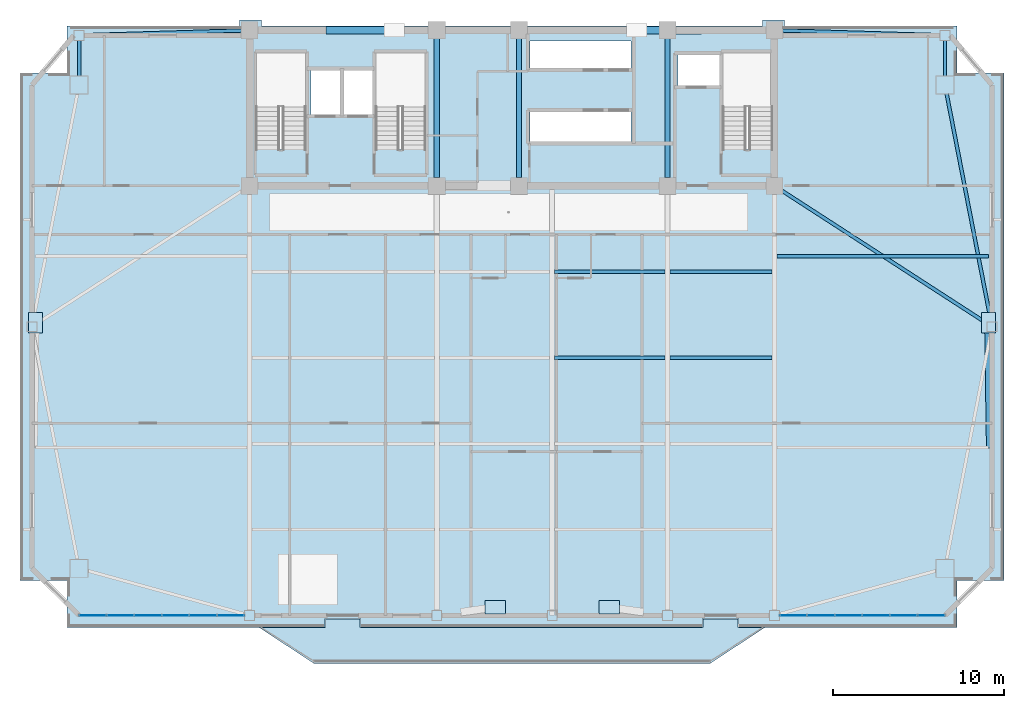
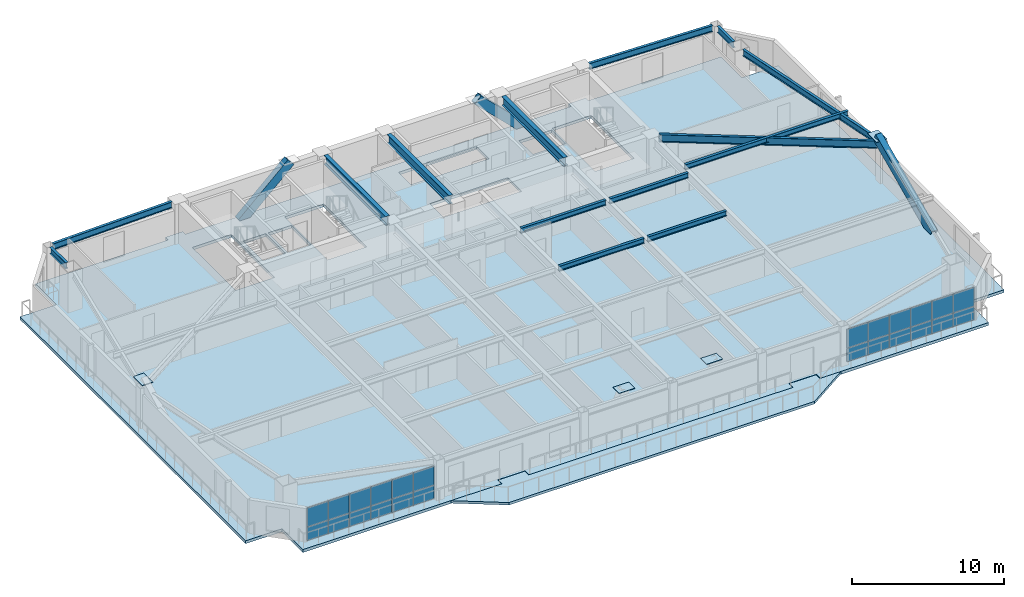
# One storey, part 7 of 17: 28 plates, 14 beams, 3 members, 2 slabs, 2 elements without a shape of their own.
"""IFC4 building model written with IfcOpenShell, lengths in metres."""

from ifc_helpers import new_model, si_unit, direction, frame, origin, origin_2d, place, context, subcontext, project, spatial, polyline, rectangle, hollow_rectangle, i_section, outline, extrude, source, transform, mapped, material, layer, layer_set, material_profile, profile_set, type_object, element, aggregate, save


model = new_model("IFC4")

# Units and contexts
model_context = context("Model", 3, precision=1e-05, world=origin(), true_north=direction((0.0, 1.0)))
body_context = subcontext(model_context, "Body", "Model", "MODEL_VIEW")
ifc_project = project(units=[si_unit("LENGTHUNIT", "METRE"), si_unit("AREAUNIT", "SQUARE_METRE"), si_unit("VOLUMEUNIT", "CUBIC_METRE"), si_unit("PLANEANGLEUNIT", "RADIAN"), si_unit("MASSUNIT", "GRAM", prefix="KILO")], contexts=[model_context])

# Site, building, storey
site_placement = place(None, origin())
site = spatial("IfcSite", under=ifc_project, at=site_placement, CompositionType="ELEMENT")
building_placement = place(site_placement, origin())
building = spatial("IfcBuilding", under=site, at=building_placement, Name="Giltprow Tower", CompositionType="ELEMENT")
storey_placement = place(building_placement, frame((0.0, 0.0, 216.699951171875)))
storey = spatial("IfcBuildingStorey", under=building, at=storey_placement, Name="L55", CompositionType="ELEMENT", Elevation=216.699951171875)

# Beams
ifc_material_1 = material(Name="Structural steel Q355B", Category="steel")
ifc_material_profile_1 = material_profile(ifc_material_1, i_section(OverallWidth=0.300048828125, OverallDepth=0.699951171875, WebThickness=0.012939453125, FlangeThickness=0.02392578125, at=origin_2d()), Name="HN 700x300x13x24")
ifc_profile_set_1 = profile_set([ifc_material_profile_1], Name="Structural steel Q355B")
beam_type_1 = type_object("IfcBeamType", Name="BM-GIRD-HN700", PredefinedType="BEAM", material=ifc_profile_set_1)
shared_shape_1 = source(origin(), body_context, "Body", "SweptSolid", [
    extrude(i_section(OverallWidth=0.300048828125, OverallDepth=0.699951171875, WebThickness=0.012939453125, FlangeThickness=0.02392578125, at=origin_2d()), origin(), (0.0, 0.0, 1.0), 8.1298828125),
])
for number, where, z_axis, x_axis, name in (
    (1, (30.800048828125, 37.93505859375, 2.89013671875), (0.0, 1.0, 0.0), (-1.0, 0.0, 0.0), "L55 Core Tie Girder M1"),
    (2, (35.60009765625, 37.93505859375, 2.89013671875), (0.0, 1.0, 0.0), (-1.0, 0.0, 0.0), "L55 Core Tie Girder M2"),
    (3, (44.300048828125, 37.93505859375, 2.89013671875), (0.0, 1.0, 0.0), (-1.0, 0.0, 0.0), "L55 Core Tie Girder M3"),
):
    element("IfcBeam", number, at=place(storey_placement, frame(where, z_axis=z_axis, x_axis=x_axis)), inside=storey, type_object=beam_type_1, Name=name, PredefinedType="BEAM", context=body_context, shape_type="MappedRepresentation", body=[
        mapped(shared_shape_1, transform((0.0, 0.0, 0.0), x_axis=(1.0, 0.0, 0.0), y_axis=(0.0, 1.0, 0.0), z_axis=(0.0, 0.0, 1.0), scale=1.0)),
    ])
ifc_material_profile_2 = material_profile(ifc_material_1, i_section(OverallWidth=0.199951171875, OverallDepth=0.39990234375, WebThickness=0.008056640625, FlangeThickness=0.012939453125, at=origin_2d()), Name="HN 400x200x8x13")
ifc_profile_set_2 = profile_set([ifc_material_profile_2], Name="Structural steel Q355B")
beam_type_2 = type_object("IfcBeamType", Name="BM-JOIST-HN400", PredefinedType="JOIST", material=ifc_profile_set_2)
shared_shape_2 = source(origin(), body_context, "Body", "SweptSolid", [
    extrude(i_section(OverallWidth=0.199951171875, OverallDepth=0.39990234375, WebThickness=0.008056640625, FlangeThickness=0.012939453125, at=origin_2d()), origin(), (0.0, 0.0, 1.0), 6.4599609375),
])
for number, where, z_axis, x_axis, name in (
    (4, (37.695068359375, 27.39697265625, 3.0400390625), (1.0, 0.0, 0.0), (0.0, 1.0, 0.0), "L55 Composite Floor Joist 3-3"),
    (5, (37.695068359375, 32.424072265625, 3.0400390625), (1.0, 0.0, 0.0), (0.0, 1.0, 0.0), "L55 Composite Floor Joist 4-3"),
):
    element("IfcBeam", number, at=place(storey_placement, frame(where, z_axis=z_axis, x_axis=x_axis)), inside=storey, type_object=beam_type_2, Name=name, PredefinedType="JOIST", context=body_context, shape_type="MappedRepresentation", body=[
        mapped(shared_shape_2, transform((0.0, 0.0, 0.0), x_axis=(1.0, 0.0, 0.0), y_axis=(0.0, 1.0, 0.0), z_axis=(0.0, 0.0, 1.0), scale=1.0)),
    ])
shared_shape_3 = source(origin(), body_context, "Body", "SweptSolid", [
    extrude(i_section(OverallWidth=0.199951171875, OverallDepth=0.39990234375, WebThickness=0.008056640625, FlangeThickness=0.012939453125, at=origin_2d()), origin(), (0.0, 0.0, 1.0), 5.9599609375),
])
for number, where, z_axis, x_axis, name in (
    (6, (44.445068359375, 27.39697265625, 3.0400390625), (1.0, 0.0, 0.0), (0.0, 1.0, 0.0), "L55 Composite Floor Joist 3-4"),
    (7, (44.445068359375, 32.424072265625, 3.0400390625), (1.0, 0.0, 0.0), (0.0, 1.0, 0.0), "L55 Composite Floor Joist 4-4"),
):
    element("IfcBeam", number, at=place(storey_placement, frame(where, z_axis=z_axis, x_axis=x_axis)), inside=storey, type_object=beam_type_2, Name=name, PredefinedType="JOIST", context=body_context, shape_type="MappedRepresentation", body=[
        mapped(shared_shape_3, transform((0.0, 0.0, 0.0), x_axis=(1.0, 0.0, 0.0), y_axis=(0.0, 1.0, 0.0), z_axis=(0.0, 0.0, 1.0), scale=1.0)),
    ])
ifc_material_profile_3 = material_profile(ifc_material_1, i_section(OverallWidth=0.199951171875, OverallDepth=0.5, WebThickness=0.010009765625, FlangeThickness=0.01611328125, at=origin_2d()), Name="HN 500x200x10x16")
ifc_profile_set_3 = profile_set([ifc_material_profile_3], Name="Structural steel Q355B")
beam_type_3 = type_object("IfcBeamType", Name="BM-SPAN-HN500", PredefinedType="SPANDREL", material=ifc_profile_set_3)
shared_shape_4 = source(origin(), body_context, "Body", "SweptSolid", [
    extrude(i_section(OverallWidth=0.199951171875, OverallDepth=0.5, WebThickness=0.010009765625, FlangeThickness=0.01611328125, at=origin_2d()), origin(), (0.0, 0.0, 1.0), 13.582763671875),
])
beam_1_placement = place(storey_placement, frame((63.22802734375, 29.489013671875, 2.989990234375), z_axis=(-0.191281458671, 0.98153522788, 0.0), x_axis=(-0.98153522788, -0.191281458671, 0.0)))
element("IfcBeam", 8, at=beam_1_placement, inside=storey, type_object=beam_type_3, Name="L55 Perimeter Spandrel Beam E_MID-MC_NE", PredefinedType="SPANDREL", context=body_context, shape_type="MappedRepresentation", body=[
    mapped(shared_shape_4, transform((0.0, 0.0, 0.0), x_axis=(1.0, 0.0, 0.0), y_axis=(0.0, 1.0, 0.0), z_axis=(0.0, 0.0, 1.0), scale=1.0)),
])
shared_shape_5 = source(origin(), body_context, "Body", "SweptSolid", [
    extrude(i_section(OverallWidth=0.199951171875, OverallDepth=0.5, WebThickness=0.010009765625, FlangeThickness=0.01611328125, at=origin_2d()), origin(), (0.0, 0.0, 1.0), 2.083984375),
])
for number, where, z_axis, x_axis, name in (
    (9, (60.528076171875, 43.881103515625, 2.989990234375), (0.0, 1.0, 0.0), (-1.0, 0.0, 0.0), "L55 Perimeter Spandrel Beam MC_NE-N_E"),
    (10, (9.8720703125, 45.965087890625, 2.989990234375), (0.0, -1.0, 0.0), (1.0, 0.0, 0.0), "L55 Perimeter Spandrel Beam N_W-MC_NW"),
):
    element("IfcBeam", number, at=place(storey_placement, frame(where, z_axis=z_axis, x_axis=x_axis)), inside=storey, type_object=beam_type_3, Name=name, PredefinedType="SPANDREL", context=body_context, shape_type="MappedRepresentation", body=[
        mapped(shared_shape_5, transform((0.0, 0.0, 0.0), x_axis=(1.0, 0.0, 0.0), y_axis=(0.0, 1.0, 0.0), z_axis=(0.0, 0.0, 1.0), scale=1.0)),
    ])
shared_shape_6 = source(origin(), body_context, "Body", "SweptSolid", [
    extrude(i_section(OverallWidth=0.199951171875, OverallDepth=0.5, WebThickness=0.010009765625, FlangeThickness=0.01611328125, at=origin_2d()), origin(), (0.0, 0.0, 1.0), 9.212158203125),
])
for number, where, z_axis, x_axis, name in (
    (11, (10.156982421875, 46.259033203125, 2.989990234375), (0.999551478387, 0.029947321311, 0.0), (-0.029947321311, 0.999551478387, 0.0), "L55 North Wing Spandrel W"),
    (12, (51.034912109375, 46.534912109375, 2.989990234375), (0.999551478387, -0.029947321311, 0.0), (0.029947321311, 0.999551478387, 0.0), "L55 North Wing Spandrel E"),
):
    element("IfcBeam", number, at=place(storey_placement, frame(where, z_axis=z_axis, x_axis=x_axis)), inside=storey, type_object=beam_type_3, Name=name, PredefinedType="SPANDREL", context=body_context, shape_type="MappedRepresentation", body=[
        mapped(shared_shape_6, transform((0.0, 0.0, 0.0), x_axis=(1.0, 0.0, 0.0), y_axis=(0.0, 1.0, 0.0), z_axis=(0.0, 0.0, 1.0), scale=1.0)),
    ])
ifc_material_profile_4 = material_profile(ifc_material_1, i_section(OverallWidth=0.199951171875, OverallDepth=0.60009765625, WebThickness=0.010986328125, FlangeThickness=0.01708984375, at=origin_2d()), Name="HN 600x200x11x17")
ifc_profile_set_4 = profile_set([ifc_material_profile_4], Name="Structural steel Q355B")
beam_type_4 = type_object("IfcBeamType", Name="BM-GIRD-HN600", PredefinedType="BEAM", material=ifc_profile_set_4)
shared_shape_7 = source(origin(), body_context, "Body", "SweptSolid", [
    extrude(i_section(OverallWidth=0.199951171875, OverallDepth=0.60009765625, WebThickness=0.010986328125, FlangeThickness=0.01708984375, at=origin_2d()), origin(), (0.0, 0.0, 1.0), 14.396240234375),
])
beam_2_placement = place(storey_placement, frame((63.04296875, 29.364013671875, 2.93994140625), z_axis=(-0.839516009713, 0.543334951422, 0.0), x_axis=(-0.543334951422, -0.839516009713, 0.0)))
element("IfcBeam", 13, at=beam_2_placement, inside=storey, type_object=beam_type_4, Name="L55 East Wing Primary Girder", PredefinedType="BEAM", context=body_context, shape_type="MappedRepresentation", body=[
    mapped(shared_shape_7, transform((0.0, 0.0, 0.0), x_axis=(1.0, 0.0, 0.0), y_axis=(0.0, 1.0, 0.0), z_axis=(0.0, 0.0, 1.0), scale=1.0)),
])
shared_shape_8 = source(origin(), body_context, "Body", "SweptSolid", [
    extrude(i_section(OverallWidth=0.199951171875, OverallDepth=0.39990234375, WebThickness=0.008056640625, FlangeThickness=0.012939453125, at=origin_2d()), origin(), (0.0, 0.0, 1.0), 12.366943359375),
])
beam_3_placement = place(storey_placement, frame((50.695068359375, 33.330078125, 3.0400390625), z_axis=(1.0, 0.0, 0.0), x_axis=(0.0, 1.0, 0.0)))
element("IfcBeam", 14, at=beam_3_placement, inside=storey, type_object=beam_type_2, Name="L55 East Wing Floor Joist 2", PredefinedType="JOIST", context=body_context, shape_type="MappedRepresentation", body=[
    mapped(shared_shape_8, transform((0.0, 0.0, 0.0), x_axis=(1.0, 0.0, 0.0), y_axis=(0.0, 1.0, 0.0), z_axis=(0.0, 0.0, 1.0), scale=1.0)),
])

# Members
ifc_material_2 = material(Name="Structural steel Q420GJC", Category="steel")
ifc_material_profile_5 = material_profile(ifc_material_2, hollow_rectangle(XDim=0.449951171875, YDim=0.699951171875, WallThickness=0.031982421875, at=origin_2d()), Name="RHS 700x450x32")
ifc_profile_set_5 = profile_set([ifc_material_profile_5], Name="Structural steel Q420GJC")
member_type = type_object("IfcMemberType", Name="MBR-MEGA-RHS700", PredefinedType="BRACE", material=ifc_profile_set_5)
shared_shape_9 = source(origin(), body_context, "Body", "SweptSolid", [
    extrude(hollow_rectangle(XDim=0.449951171875, YDim=0.699951171875, WallThickness=0.031982421875, at=origin_2d()), origin(), (0.0, 0.0, 1.0), 5.131591796875),
])
member_1_placement = place(storey_placement, frame((24.553955078125, 46.550048828125, -0.139892578125), z_axis=(0.731320999261, 0.0, 0.682033427362), x_axis=(0.0, 1.0, 0.0)))
element("IfcMember", 15, at=member_1_placement, inside=storey, type_object=member_type, Name="L55 Chevron Mega-Brace N-L", PredefinedType="BRACE", context=body_context, shape_type="MappedRepresentation", body=[
    mapped(shared_shape_9, transform((0.0, 0.0, 0.0), x_axis=(1.0, 0.0, 0.0), y_axis=(0.0, 1.0, 0.0), z_axis=(0.0, 0.0, 1.0), scale=1.0)),
])
shared_shape_10 = source(origin(), body_context, "Body", "SweptSolid", [
    extrude(hollow_rectangle(XDim=0.449951171875, YDim=0.699951171875, WallThickness=0.031982421875, at=origin_2d()), origin(), (0.0, 0.0, 1.0), 4.9853515625),
])
member_2_placement = place(storey_placement, frame((46.049072265625, 46.550048828125, -0.139892578125), z_axis=(-0.712108641736, 0.0, 0.702069286014), x_axis=(0.0, -1.0, 0.0)))
element("IfcMember", 16, at=member_2_placement, inside=storey, type_object=member_type, Name="L55 Chevron Mega-Brace N-R", PredefinedType="BRACE", context=body_context, shape_type="MappedRepresentation", body=[
    mapped(shared_shape_10, transform((0.0, 0.0, 0.0), x_axis=(1.0, 0.0, 0.0), y_axis=(0.0, 1.0, 0.0), z_axis=(0.0, 0.0, 1.0), scale=1.0)),
])
shared_shape_11 = source(origin(), body_context, "Body", "SweptSolid", [
    extrude(hollow_rectangle(XDim=0.449951171875, YDim=0.699951171875, WallThickness=0.031982421875, at=origin_2d()), origin(), (0.0, 0.0, 1.0), 7.9912109375),
])
member_3_placement = place(storey_placement, frame((63.177001953125, 22.2548828125, 0.0), z_axis=(-0.013259322673, 0.898884312645, 0.437985368298), x_axis=(-0.999891223717, -0.014749262154, 0.0)))
element("IfcMember", 17, at=member_3_placement, inside=storey, type_object=member_type, Name="L55 Chevron Mega-Brace E-D", PredefinedType="BRACE", context=body_context, shape_type="MappedRepresentation", body=[
    mapped(shared_shape_11, transform((0.0, 0.0, 0.0), x_axis=(1.0, 0.0, 0.0), y_axis=(0.0, 1.0, 0.0), z_axis=(0.0, 0.0, 1.0), scale=1.0)),
])

# Slabs
ifc_material_3 = material(Name="Concrete C40", Category="concrete")
ifc_layer_1 = layer(ifc_material_3, 0.199951171875, Name="Concrete C40")
ifc_layer_set_1 = layer_set([ifc_layer_1], Name="Concrete C40")
slab_type_1 = type_object("IfcSlabType", Name="SLB-BALC-BRONZE-200", PredefinedType="FLOOR", material=ifc_layer_set_1)
slab_1_placement = place(storey_placement, frame((0.0, 0.0, -0.199951171875)))
element("IfcSlab", 18, at=slab_1_placement, inside=storey, type_object=slab_type_1, Name="L55 Bronze Prow Waterfront Balcony Slab", PredefinedType="FLOOR", context=body_context, shape_type="SweptSolid", body=[
    extrude(outline(polyline([(50.0, 11.617919921875), (46.800048828125, 9.51806640625), (23.60009765625, 9.51806640625), (20.39990234375, 11.617919921875), (24.280029296875, 11.617919921875), (24.280029296875, 12.117919921875), (26.320068359375, 12.117919921875), (26.320068359375, 11.617919921875), (46.3798828125, 11.617919921875), (46.3798828125, 12.117919921875), (48.419921875, 12.117919921875), (48.419921875, 11.617919921875), (50.0, 11.617919921875)])), origin(), (0.0, 0.0, 1.0), 0.199951171875),
])
ifc_layer_2 = layer(ifc_material_3, 0.22998046875, Name="Concrete C40")
ifc_layer_set_2 = layer_set([ifc_layer_2], Name="Concrete C40")
slab_type_2 = type_object("IfcSlabType", Name="SLB-HTL-230", PredefinedType="FLOOR", material=ifc_layer_set_2)
slab_2_placement = place(storey_placement, frame((0.0, 0.0, -0.22998046875)))
element("IfcSlab", 19, at=slab_2_placement, inside=storey, type_object=slab_type_2, Name="L55 Structural Composite Floor Slab", PredefinedType="FLOOR", context=body_context, shape_type="SweptSolid", body=[
    extrude(outline(polyline([(63.98193359375, 44.0458984375), (63.98193359375, 14.3720703125), (61.22802734375, 14.3720703125), (61.22802734375, 11.617919921875), (48.449951171875, 11.617919921875), (48.449951171875, 12.137939453125), (46.35009765625, 12.137939453125), (46.35009765625, 11.617919921875), (26.35009765625, 11.617919921875), (26.35009765625, 12.137939453125), (24.25, 12.137939453125), (24.25, 11.617919921875), (9.172119140625, 11.617919921875), (9.172119140625, 14.3720703125), (6.41796875, 14.3720703125), (6.41796875, 44.0458984375), (9.172119140625, 44.0458984375), (9.172119140625, 46.800048828125), (19.25, 46.800048828125), (19.25, 47.14990234375), (20.550048828125, 47.14990234375), (20.550048828125, 46.800048828125), (49.85009765625, 46.800048828125), (49.85009765625, 47.14990234375), (51.14990234375, 47.14990234375), (51.14990234375, 46.800048828125), (61.22802734375, 46.800048828125), (61.22802734375, 44.0458984375), (63.98193359375, 44.0458984375)]), holes=[polyline([(42.169921875, 41.800048828125), (36.239990234375, 41.800048828125), (36.239990234375, 40.0), (42.169921875, 40.0), (42.169921875, 41.800048828125)]), polyline([(23.159912109375, 39.570068359375), (23.159912109375, 45.25), (20.199951171875, 45.25), (20.199951171875, 39.570068359375), (23.159912109375, 39.570068359375)]), polyline([(30.159912109375, 39.570068359375), (30.159912109375, 45.25), (27.199951171875, 45.25), (27.199951171875, 39.570068359375), (30.159912109375, 39.570068359375)]), polyline([(50.4599609375, 45.25), (47.5, 45.25), (47.5, 39.570068359375), (50.4599609375, 39.570068359375), (50.4599609375, 45.25)]), polyline([(25.169921875, 44.199951171875), (23.449951171875, 44.199951171875), (23.449951171875, 41.60009765625), (25.169921875, 41.60009765625), (25.169921875, 44.199951171875)]), polyline([(27.10009765625, 44.199951171875), (25.35009765625, 44.199951171875), (25.35009765625, 41.60009765625), (27.10009765625, 41.60009765625), (27.10009765625, 44.199951171875)]), polyline([(47.3798828125, 43.300048828125), (47.3798828125, 45.10009765625), (44.919921875, 45.10009765625), (44.919921875, 43.300048828125), (47.3798828125, 43.300048828125)]), polyline([(42.169921875, 44.300048828125), (42.169921875, 45.919921875), (36.239990234375, 45.919921875), (36.239990234375, 44.300048828125), (42.169921875, 44.300048828125)])]), origin(), (0.0, 0.0, 1.0), 0.22998046875),
])

# Plates
plate_type_1 = type_object("IfcPlateType", Name="PLT-CAP-SEAL", PredefinedType="USERDEFINED", material=ifc_material_2)
shared_shape_12 = source(origin(), body_context, "Body", "SweptSolid", [
    extrude(rectangle(XDim=1.199951171875, YDim=0.800048828125, at=origin_2d()), origin(), (0.0, 0.0, 1.0), 0.034912109375),
])
for number, where, z_axis, x_axis, name in (
    (20, (34.22412109375, 12.791015625, 3.482421875), (0.0, 0.0, 1.0), (1.0, 0.0, 0.0), "Mega-Brace Node L55-S-LB"),
    (21, (40.8759765625, 12.791015625, 3.482421875), (0.0, 0.0, 1.0), (1.0, 0.0, 0.0), "Mega-Brace Node L55-S-RB"),
    (22, (7.3291015625, 29.43798828125, 3.482421875), (0.0, 0.0, 1.0), (0.0, 1.0, 0.0), "Mega-Brace Node L55-W-DB"),
    (23, (63.071044921875, 29.43798828125, 3.482421875), (0.0, 0.0, 1.0), (0.0, 1.0, 0.0), "Mega-Brace Node L55-E-DB"),
):
    element("IfcPlate", number, at=place(storey_placement, frame(where, z_axis=z_axis, x_axis=x_axis)), inside=storey, type_object=plate_type_1, Name=name, ObjectType="SPLICE", PredefinedType="USERDEFINED", context=body_context, shape_type="MappedRepresentation", body=[
        mapped(shared_shape_12, transform((0.0, 0.0, 0.0), x_axis=(1.0, 0.0, 0.0), y_axis=(0.0, 1.0, 0.0), z_axis=(0.0, 0.0, 1.0), scale=1.0)),
    ])

# Curtain wall, plates
ifc_material_4 = material(Name="Anodized bronze", Category="metal")
ifc_layer_3 = layer(ifc_material_4, 0.179931640625, Name="Anodized bronze")
ifc_layer_set_3 = layer_set([ifc_layer_3], Name="Anodized bronze")
curtain_wall_type = type_object("IfcCurtainWallType", Name="CW-HTL-BRONZE", PredefinedType="NOTDEFINED", material=ifc_layer_set_3)
curtain_wall_1_placement = place(storey_placement, origin())
curtain_wall_1 = element("IfcCurtainWall", 24, at=curtain_wall_1_placement, inside=storey, type_object=curtain_wall_type, Name="L55 South Recessed Curtain Wall 1", PredefinedType="NOTDEFINED")
ifc_material_5 = material(Name="Insulated glass", Category="glass")
plate_type_2 = type_object("IfcPlateType", Name="CW-PANEL-IGU-28", PredefinedType="CURTAIN_PANEL", material=ifc_material_5)
shared_shape_13 = source(origin(), body_context, "Body", "SweptSolid", [
    extrude(rectangle(XDim=1.5830078125, YDim=0.028076171875, at=origin_2d()), origin(), (0.0, 0.0, 1.0), 1.073974609375),
])
plate_1_placement = place(storey_placement, frame((10.677978515625, 12.318115234375, 0.05419921875), z_axis=(0.0, 0.0, 1.0), x_axis=(1.0, 0.0, 0.0)))
plate_1 = element("IfcPlate", 25, at=plate_1_placement, type_object=plate_type_2, Name="L55 South Recessed Curtain Wall 1 Glazing Panel 1-1", PredefinedType="CURTAIN_PANEL", context=body_context, shape_type="MappedRepresentation", body=[
    mapped(shared_shape_13, transform((0.0, 0.0, 0.0), x_axis=(1.0, 0.0, 0.0), y_axis=(0.0, 1.0, 0.0), z_axis=(0.0, 0.0, 1.0), scale=1.0)),
])
plate_2_placement = place(storey_placement, frame((12.291015625, 12.318115234375, 0.05419921875), z_axis=(0.0, 0.0, 1.0), x_axis=(1.0, 0.0, 0.0)))
plate_2 = element("IfcPlate", 26, at=plate_2_placement, type_object=plate_type_2, Name="L55 South Recessed Curtain Wall 1 Glazing Panel 2-1", PredefinedType="CURTAIN_PANEL", context=body_context, shape_type="MappedRepresentation", body=[
    mapped(shared_shape_13, transform((0.0, 0.0, 0.0), x_axis=(1.0, 0.0, 0.0), y_axis=(0.0, 1.0, 0.0), z_axis=(0.0, 0.0, 1.0), scale=1.0)),
])
plate_3_placement = place(storey_placement, frame((13.904052734375, 12.318115234375, 0.05419921875), z_axis=(0.0, 0.0, 1.0), x_axis=(1.0, 0.0, 0.0)))
plate_3 = element("IfcPlate", 27, at=plate_3_placement, type_object=plate_type_2, Name="L55 South Recessed Curtain Wall 1 Glazing Panel 3-1", PredefinedType="CURTAIN_PANEL", context=body_context, shape_type="MappedRepresentation", body=[
    mapped(shared_shape_13, transform((0.0, 0.0, 0.0), x_axis=(1.0, 0.0, 0.0), y_axis=(0.0, 1.0, 0.0), z_axis=(0.0, 0.0, 1.0), scale=1.0)),
])
plate_4_placement = place(storey_placement, frame((15.51806640625, 12.318115234375, 0.05419921875), z_axis=(0.0, 0.0, 1.0), x_axis=(1.0, 0.0, 0.0)))
plate_4 = element("IfcPlate", 28, at=plate_4_placement, type_object=plate_type_2, Name="L55 South Recessed Curtain Wall 1 Glazing Panel 4-1", PredefinedType="CURTAIN_PANEL", context=body_context, shape_type="MappedRepresentation", body=[
    mapped(shared_shape_13, transform((0.0, 0.0, 0.0), x_axis=(1.0, 0.0, 0.0), y_axis=(0.0, 1.0, 0.0), z_axis=(0.0, 0.0, 1.0), scale=1.0)),
])
plate_5_placement = place(storey_placement, frame((17.131103515625, 12.318115234375, 0.05419921875), z_axis=(0.0, 0.0, 1.0), x_axis=(1.0, 0.0, 0.0)))
plate_5 = element("IfcPlate", 29, at=plate_5_placement, type_object=plate_type_2, Name="L55 South Recessed Curtain Wall 1 Glazing Panel 5-1", PredefinedType="CURTAIN_PANEL", context=body_context, shape_type="MappedRepresentation", body=[
    mapped(shared_shape_13, transform((0.0, 0.0, 0.0), x_axis=(1.0, 0.0, 0.0), y_axis=(0.0, 1.0, 0.0), z_axis=(0.0, 0.0, 1.0), scale=1.0)),
])
plate_6_placement = place(storey_placement, frame((18.743896484375, 12.318115234375, 0.05419921875), z_axis=(0.0, 0.0, 1.0), x_axis=(1.0, 0.0, 0.0)))
plate_6 = element("IfcPlate", 30, at=plate_6_placement, type_object=plate_type_2, Name="L55 South Recessed Curtain Wall 1 Glazing Panel 6-1", PredefinedType="CURTAIN_PANEL", context=body_context, shape_type="MappedRepresentation", body=[
    mapped(shared_shape_13, transform((0.0, 0.0, 0.0), x_axis=(1.0, 0.0, 0.0), y_axis=(0.0, 1.0, 0.0), z_axis=(0.0, 0.0, 1.0), scale=1.0)),
])

curtain_wall_2_placement = place(storey_placement, origin())
curtain_wall_2 = element("IfcCurtainWall", 31, at=curtain_wall_2_placement, inside=storey, type_object=curtain_wall_type, Name="L55 South Recessed Curtain Wall 6", PredefinedType="NOTDEFINED")
plate_7_placement = place(storey_placement, frame((51.656982421875, 12.318115234375, 0.05419921875), z_axis=(0.0, 0.0, 1.0), x_axis=(1.0, 0.0, 0.0)))
plate_7 = element("IfcPlate", 32, at=plate_7_placement, type_object=plate_type_2, Name="L55 South Recessed Curtain Wall 6 Glazing Panel 1-1", PredefinedType="CURTAIN_PANEL", context=body_context, shape_type="MappedRepresentation", body=[
    mapped(shared_shape_13, transform((0.0, 0.0, 0.0), x_axis=(1.0, 0.0, 0.0), y_axis=(0.0, 1.0, 0.0), z_axis=(0.0, 0.0, 1.0), scale=1.0)),
])
plate_8_placement = place(storey_placement, frame((53.27001953125, 12.318115234375, 0.05419921875), z_axis=(0.0, 0.0, 1.0), x_axis=(1.0, 0.0, 0.0)))
plate_8 = element("IfcPlate", 33, at=plate_8_placement, type_object=plate_type_2, Name="L55 South Recessed Curtain Wall 6 Glazing Panel 2-1", PredefinedType="CURTAIN_PANEL", context=body_context, shape_type="MappedRepresentation", body=[
    mapped(shared_shape_13, transform((0.0, 0.0, 0.0), x_axis=(1.0, 0.0, 0.0), y_axis=(0.0, 1.0, 0.0), z_axis=(0.0, 0.0, 1.0), scale=1.0)),
])
plate_9_placement = place(storey_placement, frame((54.883056640625, 12.318115234375, 0.05419921875), z_axis=(0.0, 0.0, 1.0), x_axis=(1.0, 0.0, 0.0)))
plate_9 = element("IfcPlate", 34, at=plate_9_placement, type_object=plate_type_2, Name="L55 South Recessed Curtain Wall 6 Glazing Panel 3-1", PredefinedType="CURTAIN_PANEL", context=body_context, shape_type="MappedRepresentation", body=[
    mapped(shared_shape_13, transform((0.0, 0.0, 0.0), x_axis=(1.0, 0.0, 0.0), y_axis=(0.0, 1.0, 0.0), z_axis=(0.0, 0.0, 1.0), scale=1.0)),
])
plate_10_placement = place(storey_placement, frame((56.4951171875, 12.318115234375, 0.05419921875), z_axis=(0.0, 0.0, 1.0), x_axis=(1.0, 0.0, 0.0)))
plate_10 = element("IfcPlate", 35, at=plate_10_placement, type_object=plate_type_2, Name="L55 South Recessed Curtain Wall 6 Glazing Panel 4-1", PredefinedType="CURTAIN_PANEL", context=body_context, shape_type="MappedRepresentation", body=[
    mapped(shared_shape_13, transform((0.0, 0.0, 0.0), x_axis=(1.0, 0.0, 0.0), y_axis=(0.0, 1.0, 0.0), z_axis=(0.0, 0.0, 1.0), scale=1.0)),
])
plate_11_placement = place(storey_placement, frame((58.10791015625, 12.318115234375, 0.05419921875), z_axis=(0.0, 0.0, 1.0), x_axis=(1.0, 0.0, 0.0)))
plate_11 = element("IfcPlate", 36, at=plate_11_placement, type_object=plate_type_2, Name="L55 South Recessed Curtain Wall 6 Glazing Panel 5-1", PredefinedType="CURTAIN_PANEL", context=body_context, shape_type="MappedRepresentation", body=[
    mapped(shared_shape_13, transform((0.0, 0.0, 0.0), x_axis=(1.0, 0.0, 0.0), y_axis=(0.0, 1.0, 0.0), z_axis=(0.0, 0.0, 1.0), scale=1.0)),
])
plate_12_placement = place(storey_placement, frame((59.720947265625, 12.318115234375, 0.05419921875), z_axis=(0.0, 0.0, 1.0), x_axis=(1.0, 0.0, 0.0)))
plate_12 = element("IfcPlate", 37, at=plate_12_placement, type_object=plate_type_2, Name="L55 South Recessed Curtain Wall 6 Glazing Panel 6-1", PredefinedType="CURTAIN_PANEL", context=body_context, shape_type="MappedRepresentation", body=[
    mapped(shared_shape_13, transform((0.0, 0.0, 0.0), x_axis=(1.0, 0.0, 0.0), y_axis=(0.0, 1.0, 0.0), z_axis=(0.0, 0.0, 1.0), scale=1.0)),
])

# Plate
shared_shape_14 = source(origin(), body_context, "Body", "SweptSolid", [
    extrude(rectangle(XDim=1.5830078125, YDim=0.028076171875, at=origin_2d()), origin(), (0.0, 0.0, 1.0), 1.510009765625),
])
plate_13_placement = place(storey_placement, frame((10.677978515625, 12.318115234375, 1.15625), z_axis=(0.0, 0.0, 1.0), x_axis=(1.0, 0.0, 0.0)))
plate_13 = element("IfcPlate", 38, at=plate_13_placement, type_object=plate_type_2, Name="L55 South Recessed Curtain Wall 1 Glazing Panel 1-2", PredefinedType="CURTAIN_PANEL", context=body_context, shape_type="MappedRepresentation", body=[
    mapped(shared_shape_14, transform((0.0, 0.0, 0.0), x_axis=(1.0, 0.0, 0.0), y_axis=(0.0, 1.0, 0.0), z_axis=(0.0, 0.0, 1.0), scale=1.0)),
])

plate_14_placement = place(storey_placement, frame((12.291015625, 12.318115234375, 1.15625), z_axis=(0.0, 0.0, 1.0), x_axis=(1.0, 0.0, 0.0)))
plate_14 = element("IfcPlate", 39, at=plate_14_placement, type_object=plate_type_2, Name="L55 South Recessed Curtain Wall 1 Glazing Panel 2-2", PredefinedType="CURTAIN_PANEL", context=body_context, shape_type="MappedRepresentation", body=[
    mapped(shared_shape_14, transform((0.0, 0.0, 0.0), x_axis=(1.0, 0.0, 0.0), y_axis=(0.0, 1.0, 0.0), z_axis=(0.0, 0.0, 1.0), scale=1.0)),
])

plate_15_placement = place(storey_placement, frame((13.904052734375, 12.318115234375, 1.15625), z_axis=(0.0, 0.0, 1.0), x_axis=(1.0, 0.0, 0.0)))
plate_15 = element("IfcPlate", 40, at=plate_15_placement, type_object=plate_type_2, Name="L55 South Recessed Curtain Wall 1 Glazing Panel 3-2", PredefinedType="CURTAIN_PANEL", context=body_context, shape_type="MappedRepresentation", body=[
    mapped(shared_shape_14, transform((0.0, 0.0, 0.0), x_axis=(1.0, 0.0, 0.0), y_axis=(0.0, 1.0, 0.0), z_axis=(0.0, 0.0, 1.0), scale=1.0)),
])

plate_16_placement = place(storey_placement, frame((15.51806640625, 12.318115234375, 1.15625), z_axis=(0.0, 0.0, 1.0), x_axis=(1.0, 0.0, 0.0)))
plate_16 = element("IfcPlate", 41, at=plate_16_placement, type_object=plate_type_2, Name="L55 South Recessed Curtain Wall 1 Glazing Panel 4-2", PredefinedType="CURTAIN_PANEL", context=body_context, shape_type="MappedRepresentation", body=[
    mapped(shared_shape_14, transform((0.0, 0.0, 0.0), x_axis=(1.0, 0.0, 0.0), y_axis=(0.0, 1.0, 0.0), z_axis=(0.0, 0.0, 1.0), scale=1.0)),
])

plate_17_placement = place(storey_placement, frame((17.131103515625, 12.318115234375, 1.15625), z_axis=(0.0, 0.0, 1.0), x_axis=(1.0, 0.0, 0.0)))
plate_17 = element("IfcPlate", 42, at=plate_17_placement, type_object=plate_type_2, Name="L55 South Recessed Curtain Wall 1 Glazing Panel 5-2", PredefinedType="CURTAIN_PANEL", context=body_context, shape_type="MappedRepresentation", body=[
    mapped(shared_shape_14, transform((0.0, 0.0, 0.0), x_axis=(1.0, 0.0, 0.0), y_axis=(0.0, 1.0, 0.0), z_axis=(0.0, 0.0, 1.0), scale=1.0)),
])

plate_18_placement = place(storey_placement, frame((18.743896484375, 12.318115234375, 1.15625), z_axis=(0.0, 0.0, 1.0), x_axis=(1.0, 0.0, 0.0)))
plate_18 = element("IfcPlate", 43, at=plate_18_placement, type_object=plate_type_2, Name="L55 South Recessed Curtain Wall 1 Glazing Panel 6-2", PredefinedType="CURTAIN_PANEL", context=body_context, shape_type="MappedRepresentation", body=[
    mapped(shared_shape_14, transform((0.0, 0.0, 0.0), x_axis=(1.0, 0.0, 0.0), y_axis=(0.0, 1.0, 0.0), z_axis=(0.0, 0.0, 1.0), scale=1.0)),
])

aggregate(curtain_wall_1, [plate_1, plate_13, plate_2, plate_14, plate_3, plate_15, plate_4, plate_16, plate_5, plate_17, plate_6, plate_18])

plate_19_placement = place(storey_placement, frame((51.656982421875, 12.318115234375, 1.15625), z_axis=(0.0, 0.0, 1.0), x_axis=(1.0, 0.0, 0.0)))
plate_19 = element("IfcPlate", 44, at=plate_19_placement, type_object=plate_type_2, Name="L55 South Recessed Curtain Wall 6 Glazing Panel 1-2", PredefinedType="CURTAIN_PANEL", context=body_context, shape_type="MappedRepresentation", body=[
    mapped(shared_shape_14, transform((0.0, 0.0, 0.0), x_axis=(1.0, 0.0, 0.0), y_axis=(0.0, 1.0, 0.0), z_axis=(0.0, 0.0, 1.0), scale=1.0)),
])

plate_20_placement = place(storey_placement, frame((53.27001953125, 12.318115234375, 1.15625), z_axis=(0.0, 0.0, 1.0), x_axis=(1.0, 0.0, 0.0)))
plate_20 = element("IfcPlate", 45, at=plate_20_placement, type_object=plate_type_2, Name="L55 South Recessed Curtain Wall 6 Glazing Panel 2-2", PredefinedType="CURTAIN_PANEL", context=body_context, shape_type="MappedRepresentation", body=[
    mapped(shared_shape_14, transform((0.0, 0.0, 0.0), x_axis=(1.0, 0.0, 0.0), y_axis=(0.0, 1.0, 0.0), z_axis=(0.0, 0.0, 1.0), scale=1.0)),
])

plate_21_placement = place(storey_placement, frame((54.883056640625, 12.318115234375, 1.15625), z_axis=(0.0, 0.0, 1.0), x_axis=(1.0, 0.0, 0.0)))
plate_21 = element("IfcPlate", 46, at=plate_21_placement, type_object=plate_type_2, Name="L55 South Recessed Curtain Wall 6 Glazing Panel 3-2", PredefinedType="CURTAIN_PANEL", context=body_context, shape_type="MappedRepresentation", body=[
    mapped(shared_shape_14, transform((0.0, 0.0, 0.0), x_axis=(1.0, 0.0, 0.0), y_axis=(0.0, 1.0, 0.0), z_axis=(0.0, 0.0, 1.0), scale=1.0)),
])

plate_22_placement = place(storey_placement, frame((56.4951171875, 12.318115234375, 1.15625), z_axis=(0.0, 0.0, 1.0), x_axis=(1.0, 0.0, 0.0)))
plate_22 = element("IfcPlate", 47, at=plate_22_placement, type_object=plate_type_2, Name="L55 South Recessed Curtain Wall 6 Glazing Panel 4-2", PredefinedType="CURTAIN_PANEL", context=body_context, shape_type="MappedRepresentation", body=[
    mapped(shared_shape_14, transform((0.0, 0.0, 0.0), x_axis=(1.0, 0.0, 0.0), y_axis=(0.0, 1.0, 0.0), z_axis=(0.0, 0.0, 1.0), scale=1.0)),
])

plate_23_placement = place(storey_placement, frame((58.10791015625, 12.318115234375, 1.15625), z_axis=(0.0, 0.0, 1.0), x_axis=(1.0, 0.0, 0.0)))
plate_23 = element("IfcPlate", 48, at=plate_23_placement, type_object=plate_type_2, Name="L55 South Recessed Curtain Wall 6 Glazing Panel 5-2", PredefinedType="CURTAIN_PANEL", context=body_context, shape_type="MappedRepresentation", body=[
    mapped(shared_shape_14, transform((0.0, 0.0, 0.0), x_axis=(1.0, 0.0, 0.0), y_axis=(0.0, 1.0, 0.0), z_axis=(0.0, 0.0, 1.0), scale=1.0)),
])

plate_24_placement = place(storey_placement, frame((59.720947265625, 12.318115234375, 1.15625), z_axis=(0.0, 0.0, 1.0), x_axis=(1.0, 0.0, 0.0)))
plate_24 = element("IfcPlate", 49, at=plate_24_placement, type_object=plate_type_2, Name="L55 South Recessed Curtain Wall 6 Glazing Panel 6-2", PredefinedType="CURTAIN_PANEL", context=body_context, shape_type="MappedRepresentation", body=[
    mapped(shared_shape_14, transform((0.0, 0.0, 0.0), x_axis=(1.0, 0.0, 0.0), y_axis=(0.0, 1.0, 0.0), z_axis=(0.0, 0.0, 1.0), scale=1.0)),
])

aggregate(curtain_wall_2, [plate_7, plate_19, plate_8, plate_20, plate_9, plate_21, plate_10, plate_22, plate_11, plate_23, plate_12, plate_24])

save(model, "model.ifc")
